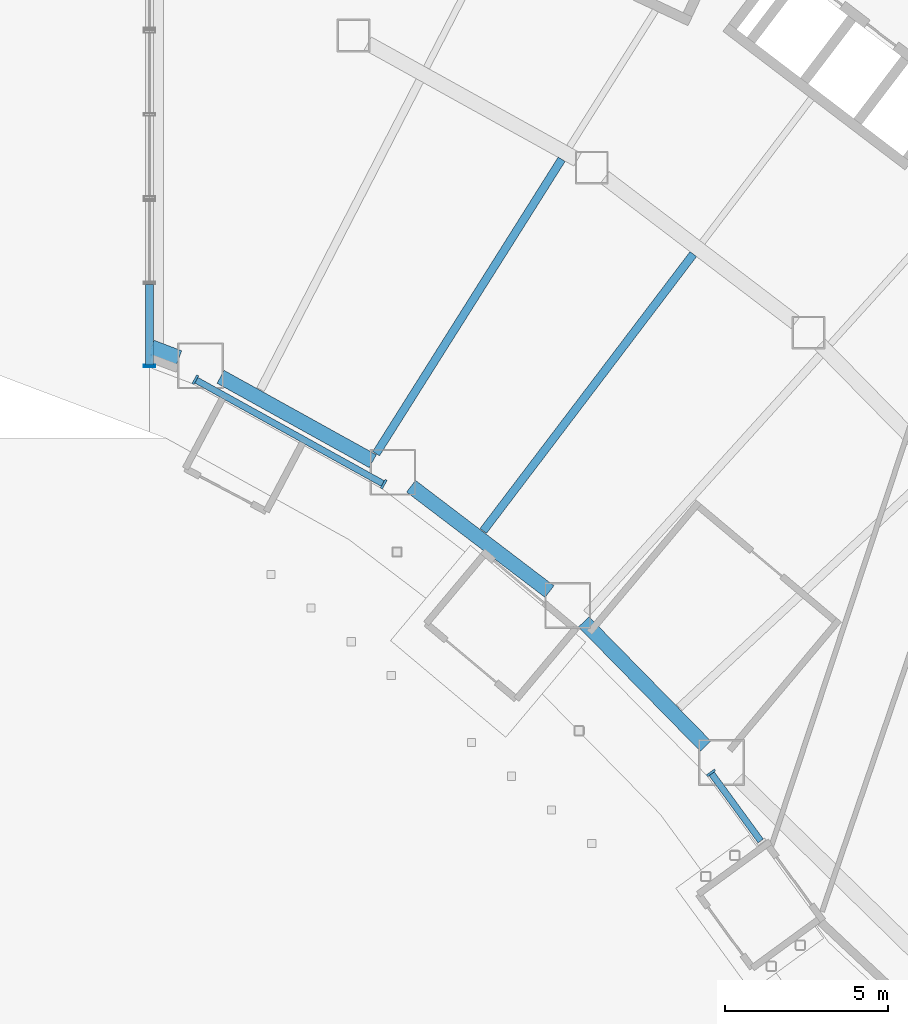
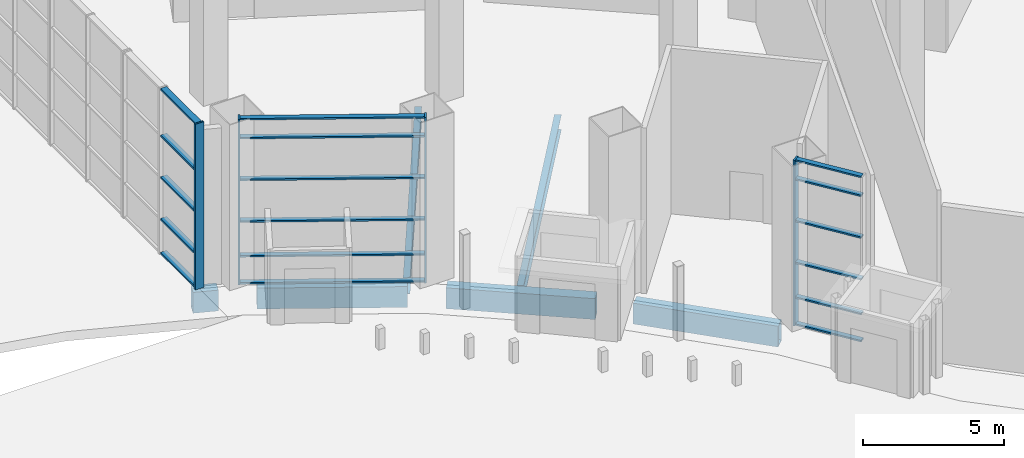
# One storey, part 19 of 45: 21 members, 6 beams, 3 elements without a shape of their own.
"""IFC4 building model written with IfcOpenShell, lengths in metres."""

import ifcopenshell
import ifcopenshell.guid

model = None  # the IFC model being written
_history = None  # IfcOwnerHistory: only IFC2X3 demands one
_inside = {}  # id of a spatial element -> (the spatial element, [elements in it])
_under = {}  # id of a project, library or spatial element -> (it, [spatial elements below it])
_declared = {}  # id of a project -> (the project, [libraries it declares])
_typed = {}  # id of a type object -> (the type object, [elements of that type])
_made_of = {}  # id of a material, layer set ... -> (it, [elements and type objects made of it])


def new_model(schema):
    """Start an empty IFC model of exactly this schema.

    Asked for "IFC4X3", IfcOpenShell would pick the latest addendum, in which some entities
    have other attributes; the version numbers below select the first issue.
    IFC2X3 requires an IfcOwnerHistory on every rooted entity: one is made here for all.
    """
    global model, _history
    if schema == "IFC4X3":
        model = ifcopenshell.file(schema_version=(4, 3, 0, 0))
    else:
        model = ifcopenshell.file(schema=schema)
    _inside.clear()
    _under.clear()
    _declared.clear()
    _typed.clear()
    _made_of.clear()
    _history = None
    if model.schema == "IFC2X3":
        org = make("IfcOrganization", Name="unknown")
        user = make(
            "IfcPersonAndOrganization",
            ThePerson=make("IfcPerson", FamilyName="unknown"),
            TheOrganization=org,
        )
        app = make(
            "IfcApplication",
            ApplicationDeveloper=org,
            Version="unknown",
            ApplicationFullName="unknown",
            ApplicationIdentifier="unknown",
        )
        _history = make(
            "IfcOwnerHistory",
            OwningUser=user,
            OwningApplication=app,
            ChangeAction="ADDED",
            CreationDate=0,
        )
    return model


def make(cls, **values):
    """One entity of the class cls with the attributes given. An attribute that is None is left unset."""
    return model.create_entity(
        cls, **{name: value for name, value in values.items() if value is not None}
    )


def rooted(cls, **values):
    """An entity with a GlobalId (a new one), such as an element, a storey or a relation."""
    return make(cls, GlobalId=ifcopenshell.guid.new(), OwnerHistory=_history, **values)


def si_unit(unit_type, name, prefix=None):
    """IfcSIUnit, for example si_unit("LENGTHUNIT", "METRE", prefix="MILLI")."""
    return make("IfcSIUnit", UnitType=unit_type, Prefix=prefix, Name=name)


def assignment(units):
    """IfcUnitAssignment: the units of a project."""
    return None if units is None else make("IfcUnitAssignment", Units=units)


def point(xyz):
    """IfcCartesianPoint."""
    return None if xyz is None else make("IfcCartesianPoint", Coordinates=xyz)


def direction(xyz):
    """IfcDirection."""
    return None if xyz is None else make("IfcDirection", DirectionRatios=xyz)


def frame(location, z_axis=None, x_axis=None):
    """IfcAxis2Placement3D, a coordinate frame: its origin and axes. An axis left out is left unset."""
    return make(
        "IfcAxis2Placement3D",
        Location=point(location),
        Axis=direction(z_axis),
        RefDirection=direction(x_axis),
    )


def frame_2d(location, x_axis=None):
    """IfcAxis2Placement2D, a coordinate frame in the plane: its origin and x axis."""
    return make(
        "IfcAxis2Placement2D", Location=point(location), RefDirection=direction(x_axis)
    )


def origin():
    """The frame at (0, 0, 0) with its axes left unset."""
    return frame((0.0, 0.0, 0.0))


def origin_2d():
    """The frame at (0, 0) in the plane with its x axis left unset."""
    return frame_2d((0.0, 0.0))


def place(relative_to, where):
    """IfcLocalPlacement: puts the frame where relative to a parent placement (None: the world)."""
    return make(
        "IfcLocalPlacement", PlacementRelTo=relative_to, RelativePlacement=where
    )


def context(
    kind, dimensions, precision=None, world=None, true_north=None, identifier=None
):
    """IfcGeometricRepresentationContext, for example the 3D "Model" context."""
    return make(
        "IfcGeometricRepresentationContext",
        ContextIdentifier=identifier,
        ContextType=kind,
        CoordinateSpaceDimension=dimensions,
        Precision=precision,
        WorldCoordinateSystem=world,
        TrueNorth=true_north,
    )


def subcontext(parent, identifier, kind, view, scale=None):
    """IfcGeometricRepresentationSubContext, for example "Body" below "Model"."""
    return make(
        "IfcGeometricRepresentationSubContext",
        ContextIdentifier=identifier,
        ContextType=kind,
        ParentContext=parent,
        TargetScale=scale,
        TargetView=view,
    )


def project(units=None, contexts=None):
    """IfcProject with its units and contexts."""
    return rooted(
        "IfcProject",
        Name="project",
        RepresentationContexts=contexts,
        UnitsInContext=assignment(units),
    )


def spatial(cls, under=None, at=None, **own):
    """A site, building, storey or space (cls), placed at a placement, below another one or the project."""
    s = rooted(cls, ObjectPlacement=at, **own)
    if under is not None:
        _under.setdefault(under.id(), (under, []))[1].append(s)
    return s


def profile(cls, at=None, kind="AREA", **sizes):
    """A parametric profile (cls). Its sizes go by their IFC names, for example OverallWidth=200.0."""
    return make(cls, ProfileType=kind, Position=at, **sizes)


def rectangle(**sizes):
    """IfcRectangleProfileDef."""
    return profile("IfcRectangleProfileDef", **sizes)


def hollow_rectangle(**sizes):
    """IfcRectangleHollowProfileDef."""
    return profile("IfcRectangleHollowProfileDef", **sizes)


def i_section(**sizes):
    """IfcIShapeProfileDef."""
    return profile("IfcIShapeProfileDef", **sizes)


def extrude(swept, where, along, depth):
    """IfcExtrudedAreaSolid: the profile swept, set in the frame where, extruded along a direction by depth."""
    return make(
        "IfcExtrudedAreaSolid",
        SweptArea=swept,
        Position=where,
        ExtrudedDirection=direction(along),
        Depth=depth,
    )


def shape(context_of_items, identifier, shape_type, items):
    """IfcShapeRepresentation: the items that make up one representation, for example the "Body"."""
    return make(
        "IfcShapeRepresentation",
        ContextOfItems=context_of_items,
        RepresentationIdentifier=identifier,
        RepresentationType=shape_type,
        Items=items,
    )


def material(Name=None, Category=None):
    """IfcMaterial."""
    return make("IfcMaterial", Name=Name, Category=Category)


def layer(
    of_material, thickness, ventilated=None, Name=None, Category=None, Priority=None
):
    """IfcMaterialLayer: one layer of a wall or slab, of a material (None: an air gap)."""
    return make(
        "IfcMaterialLayer",
        Material=of_material,
        LayerThickness=thickness,
        IsVentilated=ventilated,
        Name=Name,
        Category=Category,
        Priority=Priority,
    )


def layer_set(layers, Name=None):
    """IfcMaterialLayerSet."""
    return make("IfcMaterialLayerSet", MaterialLayers=layers, LayerSetName=Name)


def material_profile(
    of_material, cross_section, Name=None, Category=None, Priority=None
):
    """IfcMaterialProfile: a cross section and its material."""
    return make(
        "IfcMaterialProfile",
        Name=Name,
        Material=of_material,
        Profile=cross_section,
        Priority=Priority,
        Category=Category,
    )


def profile_set(profiles, Name=None, composite=None):
    """IfcMaterialProfileSet."""
    return make(
        "IfcMaterialProfileSet",
        Name=Name,
        MaterialProfiles=profiles,
        CompositeProfile=composite,
    )


def made_of(thing, what):
    """Note that an element or type object is made of a material, layer set ...; save() writes the relation."""
    if what is not None:
        _made_of.setdefault(what.id(), (what, []))[1].append(thing)
    return thing


def type_object(cls, material=None, **own):
    """A type object (cls), such as IfcWallType, which elements share."""
    return made_of(rooted(cls, **own), material)


def element(
    cls,
    number,
    at=None,
    inside=None,
    cuts=None,
    type_object=None,
    material=None,
    context=None,
    identifier="Body",
    shape_type=None,
    held_by="IfcProductDefinitionShape",
    body=None,
    shapes=None,
    **own,
):
    """One element of the class cls, such as IfcWall. Its Tag is "e" and its number.

    at: its placement. inside: the storey or other place that contains it. cuts: it is an
    opening in that element (IfcRelVoidsElement). A single representation is given by context,
    identifier, shape_type and body (its items); several are given by shapes. held_by: the class
    of the entity that holds the representations. save() writes the other relations.
    """
    e = rooted(cls, Tag="e%d" % number, ObjectPlacement=at, **own)
    if body is not None:
        shapes = [shape(context, identifier, shape_type, body)]
    if shapes is not None:
        e.Representation = make(held_by, Representations=shapes)
    if inside is not None:
        _inside.setdefault(inside.id(), (inside, []))[1].append(e)
    if cuts is not None:
        rooted(
            "IfcRelVoidsElement", RelatingBuildingElement=cuts, RelatedOpeningElement=e
        )
    if type_object is not None:
        _typed.setdefault(type_object.id(), (type_object, []))[1].append(e)
    return made_of(e, material)


def aggregate(whole, parts):
    """IfcRelAggregates: a whole, such as a stair, and the parts it consists of."""
    return rooted("IfcRelAggregates", RelatingObject=whole, RelatedObjects=parts)


def save(model, path):
    """Write the relations noted so far, then the file.

    IfcRelAggregates (storeys below a building ...), IfcRelContainedInSpatialStructure (elements
    in a storey), IfcRelDefinesByType, IfcRelAssociatesMaterial and IfcRelDeclares: one each for
    every whole, place, type object, material and project.
    """
    for whole, parts in _under.values():
        aggregate(whole, parts)
    for where, things in _inside.values():
        rooted(
            "IfcRelContainedInSpatialStructure",
            RelatedElements=things,
            RelatingStructure=where,
        )
    for kind, things in _typed.values():
        rooted("IfcRelDefinesByType", RelatedObjects=things, RelatingType=kind)
    for what, things in _made_of.values():
        rooted("IfcRelAssociatesMaterial", RelatedObjects=things, RelatingMaterial=what)
    for by, libraries in _declared.values():
        rooted("IfcRelDeclares", RelatingContext=by, RelatedDefinitions=libraries)
    model.write(path)


model = new_model("IFC4")

# Units and contexts
model_context = context("Model", 3, precision=1e-05, world=origin(), true_north=direction((0.0, 1.0)))
body_context = subcontext(model_context, "Body", "Model", "MODEL_VIEW")
ifc_project = project(units=[si_unit("LENGTHUNIT", "METRE"), si_unit("AREAUNIT", "SQUARE_METRE"), si_unit("VOLUMEUNIT", "CUBIC_METRE"), si_unit("PLANEANGLEUNIT", "RADIAN"), si_unit("MASSUNIT", "GRAM", prefix="KILO")], contexts=[model_context])

# Site, building, storey
site_placement = place(None, origin())
site = spatial("IfcSite", under=ifc_project, at=site_placement, CompositionType="ELEMENT")
building_placement = place(site_placement, origin())
building = spatial("IfcBuilding", under=site, at=building_placement, Name="Tuul Gate Civic Tower", CompositionType="ELEMENT")
storey_placement = place(building_placement, origin())
storey = spatial("IfcBuildingStorey", under=building, at=storey_placement, Name="Level 00", CompositionType="ELEMENT", Elevation=0.0)

# Curtain wall, members
ifc_material_1 = material(Name="Aluminium", Category="aluminium")
ifc_layer_1 = layer(ifc_material_1, 0.199951171875)
ifc_layer_set_1 = layer_set([ifc_layer_1], Name="Aluminium")
curtain_wall_type_1 = type_object("IfcCurtainWallType", Name="Curtain wall CW1", PredefinedType="NOTDEFINED", material=ifc_layer_set_1)
curtain_wall_1_placement = place(storey_placement, origin())
curtain_wall_1 = element("IfcCurtainWall", 1, at=curtain_wall_1_placement, inside=storey, type_object=curtain_wall_type_1, Name="Curtain wall CW1", PredefinedType="NOTDEFINED")
ifc_material_2 = material(Name="Aluminium", Category="aluminium")
ifc_material_profile_1 = material_profile(ifc_material_2, rectangle(XDim=0.300048828125, YDim=0.070068359375, at=origin_2d()), Name="CW1 mullion")
ifc_profile_set_1 = profile_set([ifc_material_profile_1], Name="Aluminium")
member_type_1 = type_object("IfcMemberType", Name="CW1 mullion", PredefinedType="MULLION", material=ifc_profile_set_1)
member_1_placement = place(storey_placement, frame((19.398681640625, -18.2099609375, 0.0), z_axis=(0.0, 0.0, 1.0), x_axis=(0.484724404523, 0.87466693756, 0.0)))
member_1 = element("IfcMember", 2, at=member_1_placement, type_object=member_type_1, Name="Mullion", PredefinedType="MULLION", context=body_context, shape_type="SweptSolid", body=[
    extrude(rectangle(XDim=0.300048828125, YDim=0.070068359375, at=origin_2d()), origin(), (0.0, 0.0, 1.0), 7.14990234375),
])
member_2_placement = place(storey_placement, frame((25.160400390625, -21.403076171875, 0.0), z_axis=(0.0, 0.0, 1.0), x_axis=(0.484724404523, 0.87466693756, 0.0)))
member_2 = element("IfcMember", 3, at=member_2_placement, type_object=member_type_1, Name="Mullion", PredefinedType="MULLION", context=body_context, shape_type="SweptSolid", body=[
    extrude(rectangle(XDim=0.300048828125, YDim=0.070068359375, at=origin_2d()), origin(), (0.0, 0.0, 1.0), 7.14990234375),
])

# Curtain wall, member
curtain_wall_2_placement = place(storey_placement, origin())
curtain_wall_2 = element("IfcCurtainWall", 4, at=curtain_wall_2_placement, inside=storey, type_object=curtain_wall_type_1, Name="Curtain wall CW1", PredefinedType="NOTDEFINED")
member_3_placement = place(storey_placement, frame((35.168701171875, -30.2353515625, 0.0), z_axis=(0.0, 0.0, 1.0), x_axis=(0.807581267587, 0.589756302419, 0.0)))
member_3 = element("IfcMember", 5, at=member_3_placement, type_object=member_type_1, Name="Mullion", PredefinedType="MULLION", context=body_context, shape_type="SweptSolid", body=[
    extrude(rectangle(XDim=0.300048828125, YDim=0.070068359375, at=origin_2d()), origin(), (0.0, 0.0, 1.0), 7.14990234375),
])

# Member
ifc_material_3 = material(Name="Aluminium", Category="aluminium")
ifc_material_profile_2 = material_profile(ifc_material_3, rectangle(XDim=0.199951171875, YDim=0.070068359375, at=origin_2d()), Name="CW1 transom")
ifc_profile_set_2 = profile_set([ifc_material_profile_2], Name="Aluminium")
member_type_2 = type_object("IfcMemberType", Name="CW1 transom", PredefinedType="USERDEFINED", material=ifc_profile_set_2)
member_4_placement = place(storey_placement, frame((19.42919921875, -18.22705078125, 0.034912109375), z_axis=(0.874685082626, -0.484691660989, 0.0), x_axis=(0.484691660989, 0.874685082626, 0.0)))
member_4 = element("IfcMember", 6, at=member_4_placement, type_object=member_type_2, Name="Transom", ObjectType="TRANSOM", PredefinedType="USERDEFINED", context=body_context, shape_type="SweptSolid", body=[
    extrude(rectangle(XDim=0.199951171875, YDim=0.070068359375, at=origin_2d()), origin(), (0.0, 0.0, 1.0), 6.517333984375),
])

member_5_placement = place(storey_placement, frame((19.42919921875, -18.22705078125, 1.199951171875), z_axis=(0.874685082626, -0.484691660989, 0.0), x_axis=(0.484691660989, 0.874685082626, 0.0)))
member_5 = element("IfcMember", 7, at=member_5_placement, type_object=member_type_2, Name="Transom", ObjectType="TRANSOM", PredefinedType="USERDEFINED", context=body_context, shape_type="SweptSolid", body=[
    extrude(rectangle(XDim=0.199951171875, YDim=0.070068359375, at=origin_2d()), origin(), (0.0, 0.0, 1.0), 6.517333984375),
])

member_6_placement = place(storey_placement, frame((19.42919921875, -18.22705078125, 2.699951171875), z_axis=(0.874685082626, -0.484691660989, 0.0), x_axis=(0.484691660989, 0.874685082626, 0.0)))
member_6 = element("IfcMember", 8, at=member_6_placement, type_object=member_type_2, Name="Transom", ObjectType="TRANSOM", PredefinedType="USERDEFINED", context=body_context, shape_type="SweptSolid", body=[
    extrude(rectangle(XDim=0.199951171875, YDim=0.070068359375, at=origin_2d()), origin(), (0.0, 0.0, 1.0), 6.517333984375),
])

member_7_placement = place(storey_placement, frame((19.42919921875, -18.22705078125, 4.5), z_axis=(0.874685082626, -0.484691660989, 0.0), x_axis=(0.484691660989, 0.874685082626, 0.0)))
member_7 = element("IfcMember", 9, at=member_7_placement, type_object=member_type_2, Name="Transom", ObjectType="TRANSOM", PredefinedType="USERDEFINED", context=body_context, shape_type="SweptSolid", body=[
    extrude(rectangle(XDim=0.199951171875, YDim=0.070068359375, at=origin_2d()), origin(), (0.0, 0.0, 1.0), 6.517333984375),
])

member_8_placement = place(storey_placement, frame((19.42919921875, -18.22705078125, 6.300048828125), z_axis=(0.874685082626, -0.484691660989, 0.0), x_axis=(0.484691660989, 0.874685082626, 0.0)))
member_8 = element("IfcMember", 10, at=member_8_placement, type_object=member_type_2, Name="Transom", ObjectType="TRANSOM", PredefinedType="USERDEFINED", context=body_context, shape_type="SweptSolid", body=[
    extrude(rectangle(XDim=0.199951171875, YDim=0.070068359375, at=origin_2d()), origin(), (0.0, 0.0, 1.0), 6.517333984375),
])

member_9_placement = place(storey_placement, frame((19.42919921875, -18.22705078125, 7.114990234375), z_axis=(0.874685082626, -0.484691660989, 0.0), x_axis=(0.484691660989, 0.874685082626, 0.0)))
member_9 = element("IfcMember", 11, at=member_9_placement, type_object=member_type_2, Name="Transom", ObjectType="TRANSOM", PredefinedType="USERDEFINED", context=body_context, shape_type="SweptSolid", body=[
    extrude(rectangle(XDim=0.199951171875, YDim=0.070068359375, at=origin_2d()), origin(), (0.0, 0.0, 1.0), 6.517333984375),
])

aggregate(curtain_wall_1, [member_1, member_2, member_4, member_5, member_6, member_7, member_8, member_9])

member_10_placement = place(storey_placement, frame((35.189208984375, -30.263427734375, 0.034912109375), z_axis=(0.589775692468, -0.807567107165, 0.0), x_axis=(0.807567107165, 0.589775692468, 0.0)))
member_10 = element("IfcMember", 12, at=member_10_placement, type_object=member_type_2, Name="Transom", ObjectType="TRANSOM", PredefinedType="USERDEFINED", context=body_context, shape_type="SweptSolid", body=[
    extrude(rectangle(XDim=0.199951171875, YDim=0.070068359375, at=origin_2d()), origin(), (0.0, 0.0, 1.0), 2.541259765625),
])

member_11_placement = place(storey_placement, frame((35.189208984375, -30.263427734375, 1.199951171875), z_axis=(0.589775692468, -0.807567107165, 0.0), x_axis=(0.807567107165, 0.589775692468, 0.0)))
member_11 = element("IfcMember", 13, at=member_11_placement, type_object=member_type_2, Name="Transom", ObjectType="TRANSOM", PredefinedType="USERDEFINED", context=body_context, shape_type="SweptSolid", body=[
    extrude(rectangle(XDim=0.199951171875, YDim=0.070068359375, at=origin_2d()), origin(), (0.0, 0.0, 1.0), 2.541259765625),
])

member_12_placement = place(storey_placement, frame((35.189208984375, -30.263427734375, 2.699951171875), z_axis=(0.589775692468, -0.807567107165, 0.0), x_axis=(0.807567107165, 0.589775692468, 0.0)))
member_12 = element("IfcMember", 14, at=member_12_placement, type_object=member_type_2, Name="Transom", ObjectType="TRANSOM", PredefinedType="USERDEFINED", context=body_context, shape_type="SweptSolid", body=[
    extrude(rectangle(XDim=0.199951171875, YDim=0.070068359375, at=origin_2d()), origin(), (0.0, 0.0, 1.0), 2.541259765625),
])

member_13_placement = place(storey_placement, frame((35.189208984375, -30.263427734375, 4.5), z_axis=(0.589775692468, -0.807567107165, 0.0), x_axis=(0.807567107165, 0.589775692468, 0.0)))
member_13 = element("IfcMember", 15, at=member_13_placement, type_object=member_type_2, Name="Transom", ObjectType="TRANSOM", PredefinedType="USERDEFINED", context=body_context, shape_type="SweptSolid", body=[
    extrude(rectangle(XDim=0.199951171875, YDim=0.070068359375, at=origin_2d()), origin(), (0.0, 0.0, 1.0), 2.541259765625),
])

member_14_placement = place(storey_placement, frame((35.189208984375, -30.263427734375, 6.300048828125), z_axis=(0.589775692468, -0.807567107165, 0.0), x_axis=(0.807567107165, 0.589775692468, 0.0)))
member_14 = element("IfcMember", 16, at=member_14_placement, type_object=member_type_2, Name="Transom", ObjectType="TRANSOM", PredefinedType="USERDEFINED", context=body_context, shape_type="SweptSolid", body=[
    extrude(rectangle(XDim=0.199951171875, YDim=0.070068359375, at=origin_2d()), origin(), (0.0, 0.0, 1.0), 2.541259765625),
])

member_15_placement = place(storey_placement, frame((35.189208984375, -30.263427734375, 7.114990234375), z_axis=(0.589775692468, -0.807567107165, 0.0), x_axis=(0.807567107165, 0.589775692468, 0.0)))
member_15 = element("IfcMember", 17, at=member_15_placement, type_object=member_type_2, Name="Transom", ObjectType="TRANSOM", PredefinedType="USERDEFINED", context=body_context, shape_type="SweptSolid", body=[
    extrude(rectangle(XDim=0.199951171875, YDim=0.070068359375, at=origin_2d()), origin(), (0.0, 0.0, 1.0), 2.541259765625),
])

aggregate(curtain_wall_2, [member_3, member_10, member_11, member_12, member_13, member_14, member_15])

# Curtain wall, members
ifc_material_4 = material(Name="Stainless steel", Category="steel")
ifc_layer_2 = layer(ifc_material_4, 0.199951171875)
ifc_layer_set_2 = layer_set([ifc_layer_2], Name="Stainless steel")
curtain_wall_type_2 = type_object("IfcCurtainWallType", Name="Curtain wall CW2", PredefinedType="NOTDEFINED", material=ifc_layer_set_2)
curtain_wall_3_placement = place(storey_placement, origin())
curtain_wall_3 = element("IfcCurtainWall", 18, at=curtain_wall_3_placement, inside=storey, type_object=curtain_wall_type_2, Name="Curtain wall CW2", PredefinedType="NOTDEFINED")
ifc_material_5 = material(Name="Stainless steel", Category="steel")
ifc_material_profile_3 = material_profile(ifc_material_5, hollow_rectangle(XDim=0.35009765625, YDim=0.080078125, WallThickness=0.006103515625, at=origin_2d()), Name="CW2 mullion")
ifc_profile_set_3 = profile_set([ifc_material_profile_3], Name="Stainless steel")
member_type_3 = type_object("IfcMemberType", Name="CW2 mullion", PredefinedType="MULLION", material=ifc_profile_set_3)
member_16_placement = place(storey_placement, frame((18.0, -17.7958984375, 0.0), z_axis=(0.0, 0.0, 1.0), x_axis=(-1.0, 0.0, 0.0)))
member_16 = element("IfcMember", 19, at=member_16_placement, type_object=member_type_3, Name="Mullion", PredefinedType="MULLION", context=body_context, shape_type="SweptSolid", body=[
    extrude(hollow_rectangle(XDim=0.35009765625, YDim=0.080078125, WallThickness=0.006103515625, at=origin_2d()), origin(), (0.0, 0.0, 1.0), 7.14990234375),
])
ifc_material_6 = material(Name="Stainless steel", Category="steel")
ifc_material_profile_4 = material_profile(ifc_material_6, hollow_rectangle(XDim=0.25, YDim=0.080078125, WallThickness=0.006103515625, at=origin_2d()), Name="CW2 transom")
ifc_profile_set_4 = profile_set([ifc_material_profile_4], Name="Stainless steel")
member_type_4 = type_object("IfcMemberType", Name="CW2 transom", PredefinedType="USERDEFINED", material=ifc_profile_set_4)
member_17_placement = place(storey_placement, frame((18.0, -17.756103515625, 0.0400390625), z_axis=(0.0, 1.0, 0.0), x_axis=(-1.0, 0.0, 0.0)))
member_17 = element("IfcMember", 20, at=member_17_placement, type_object=member_type_4, Name="Transom", ObjectType="TRANSOM", PredefinedType="USERDEFINED", context=body_context, shape_type="SweptSolid", body=[
    extrude(hollow_rectangle(XDim=0.25, YDim=0.080078125, WallThickness=0.006103515625, at=origin_2d()), origin(), (0.0, 0.0, 1.0), 2.458740234375),
])
member_18_placement = place(storey_placement, frame((18.0, -17.756103515625, 1.5), z_axis=(0.0, 1.0, 0.0), x_axis=(-1.0, 0.0, 0.0)))
member_18 = element("IfcMember", 21, at=member_18_placement, type_object=member_type_4, Name="Transom", ObjectType="TRANSOM", PredefinedType="USERDEFINED", context=body_context, shape_type="SweptSolid", body=[
    extrude(hollow_rectangle(XDim=0.25, YDim=0.080078125, WallThickness=0.006103515625, at=origin_2d()), origin(), (0.0, 0.0, 1.0), 2.458740234375),
])
member_19_placement = place(storey_placement, frame((18.0, -17.756103515625, 3.300048828125), z_axis=(0.0, 1.0, 0.0), x_axis=(-1.0, 0.0, 0.0)))
member_19 = element("IfcMember", 22, at=member_19_placement, type_object=member_type_4, Name="Transom", ObjectType="TRANSOM", PredefinedType="USERDEFINED", context=body_context, shape_type="SweptSolid", body=[
    extrude(hollow_rectangle(XDim=0.25, YDim=0.080078125, WallThickness=0.006103515625, at=origin_2d()), origin(), (0.0, 0.0, 1.0), 2.458740234375),
])
member_20_placement = place(storey_placement, frame((18.0, -17.756103515625, 5.10009765625), z_axis=(0.0, 1.0, 0.0), x_axis=(-1.0, 0.0, 0.0)))
member_20 = element("IfcMember", 23, at=member_20_placement, type_object=member_type_4, Name="Transom", ObjectType="TRANSOM", PredefinedType="USERDEFINED", context=body_context, shape_type="SweptSolid", body=[
    extrude(hollow_rectangle(XDim=0.25, YDim=0.080078125, WallThickness=0.006103515625, at=origin_2d()), origin(), (0.0, 0.0, 1.0), 2.458740234375),
])
member_21_placement = place(storey_placement, frame((18.0, -17.756103515625, 7.110107421875), z_axis=(0.0, 1.0, 0.0), x_axis=(-1.0, 0.0, 0.0)))
member_21 = element("IfcMember", 24, at=member_21_placement, type_object=member_type_4, Name="Transom", ObjectType="TRANSOM", PredefinedType="USERDEFINED", context=body_context, shape_type="SweptSolid", body=[
    extrude(hollow_rectangle(XDim=0.25, YDim=0.080078125, WallThickness=0.006103515625, at=origin_2d()), origin(), (0.0, 0.0, 1.0), 2.458740234375),
])
aggregate(curtain_wall_3, [member_16, member_17, member_18, member_19, member_20, member_21])

# Beams
ifc_material_7 = material(Name="Steel S355", Category="steel")
ifc_material_profile_5 = material_profile(ifc_material_7, i_section(OverallWidth=0.25, OverallDepth=0.64990234375, WebThickness=0.011962890625, FlangeThickness=0.02001953125, at=origin_2d()), Name="PG650x250x12x20")
ifc_profile_set_5 = profile_set([ifc_material_profile_5], Name="Steel S355")
beam_type_1 = type_object("IfcBeamType", Name="STR-FLOOR BEAM-PG650x250x12x20", PredefinedType="BEAM", material=ifc_profile_set_5)
beam_1_placement = place(storey_placement, frame((28.20361328125, -22.83447265625, -0.72509765625), z_axis=(0.604505162529, 0.796601222995, 0.0), x_axis=(-0.796601222995, 0.604505162529, 0.0)))
element("IfcBeam", 25, at=beam_1_placement, inside=storey, type_object=beam_type_1, Name="Floor beam", PredefinedType="BEAM", context=body_context, shape_type="SweptSolid", body=[
    extrude(i_section(OverallWidth=0.25, OverallDepth=0.64990234375, WebThickness=0.011962890625, FlangeThickness=0.02001953125, at=origin_2d()), origin(), (0.0, 0.0, 1.0), 10.625),
])
beam_2_placement = place(storey_placement, frame((24.9248046875, -20.47265625, -0.72509765625), z_axis=(0.533386929433, 0.845871375275, 0.0), x_axis=(-0.845871375275, 0.533386929433, 0.0)))
element("IfcBeam", 26, at=beam_2_placement, inside=storey, type_object=beam_type_1, Name="Floor beam", PredefinedType="BEAM", context=body_context, shape_type="SweptSolid", body=[
    extrude(i_section(OverallWidth=0.25, OverallDepth=0.64990234375, WebThickness=0.011962890625, FlangeThickness=0.02001953125, at=origin_2d()), origin(), (0.0, 0.0, 1.0), 10.641845703125),
])
ifc_material_8 = material(Name="Steel S355", Category="steel")
ifc_material_profile_6 = material_profile(ifc_material_8, hollow_rectangle(XDim=0.449951171875, YDim=0.89990234375, WallThickness=0.02490234375, at=origin_2d()), Name="BOX900x450x25")
ifc_profile_set_6 = profile_set([ifc_material_profile_6], Name="Steel S355")
beam_type_2 = type_object("IfcBeamType", Name="STR-SPANDREL BEAM-BOX900x450x25", PredefinedType="BEAM", material=ifc_profile_set_6)
beam_3_placement = place(storey_placement, frame((18.050048828125, -17.212890625, -0.85009765625), z_axis=(0.935413092715, -0.353556708291, 0.0), x_axis=(0.353556708291, 0.935413092715, 0.0)))
element("IfcBeam", 27, at=beam_3_placement, inside=storey, type_object=beam_type_2, Name="Spandrel beam", PredefinedType="BEAM", context=body_context, shape_type="SweptSolid", body=[
    extrude(hollow_rectangle(XDim=0.449951171875, YDim=0.89990234375, WallThickness=0.02490234375, at=origin_2d()), origin(), (0.0, 0.0, 1.0), 0.912109375),
])
beam_4_placement = place(storey_placement, frame((20.170166015625, -18.122314453125, -0.85009765625), z_axis=(0.87456368019, -0.484910681769, 0.0), x_axis=(0.484910681769, 0.87456368019, 0.0)))
element("IfcBeam", 28, at=beam_4_placement, inside=storey, type_object=beam_type_2, Name="Spandrel beam", PredefinedType="BEAM", context=body_context, shape_type="SweptSolid", body=[
    extrude(hollow_rectangle(XDim=0.449951171875, YDim=0.89990234375, WallThickness=0.02490234375, at=origin_2d()), origin(), (0.0, 0.0, 1.0), 5.3232421875),
])
beam_5_placement = place(storey_placement, frame((25.994873046875, -21.467041015625, -0.85009765625), z_axis=(0.795624397763, -0.605790242315, 0.0), x_axis=(0.605790242315, 0.795624397763, 0.0)))
element("IfcBeam", 29, at=beam_5_placement, inside=storey, type_object=beam_type_2, Name="Spandrel beam", PredefinedType="BEAM", context=body_context, shape_type="SweptSolid", body=[
    extrude(hollow_rectangle(XDim=0.449951171875, YDim=0.89990234375, WallThickness=0.02490234375, at=origin_2d()), origin(), (0.0, 0.0, 1.0), 5.32177734375),
])
beam_6_placement = place(storey_placement, frame((31.276123046875, -25.614990234375, -0.85009765625), z_axis=(0.700007662648, -0.714135331876, 0.0), x_axis=(0.714135331876, 0.700007662648, 0.0)))
element("IfcBeam", 30, at=beam_6_placement, inside=storey, type_object=beam_type_2, Name="Spandrel beam", PredefinedType="BEAM", context=body_context, shape_type="SweptSolid", body=[
    extrude(hollow_rectangle(XDim=0.449951171875, YDim=0.89990234375, WallThickness=0.02490234375, at=origin_2d()), origin(), (0.0, 0.0, 1.0), 5.322509765625),
])

save(model, "model.ifc")
